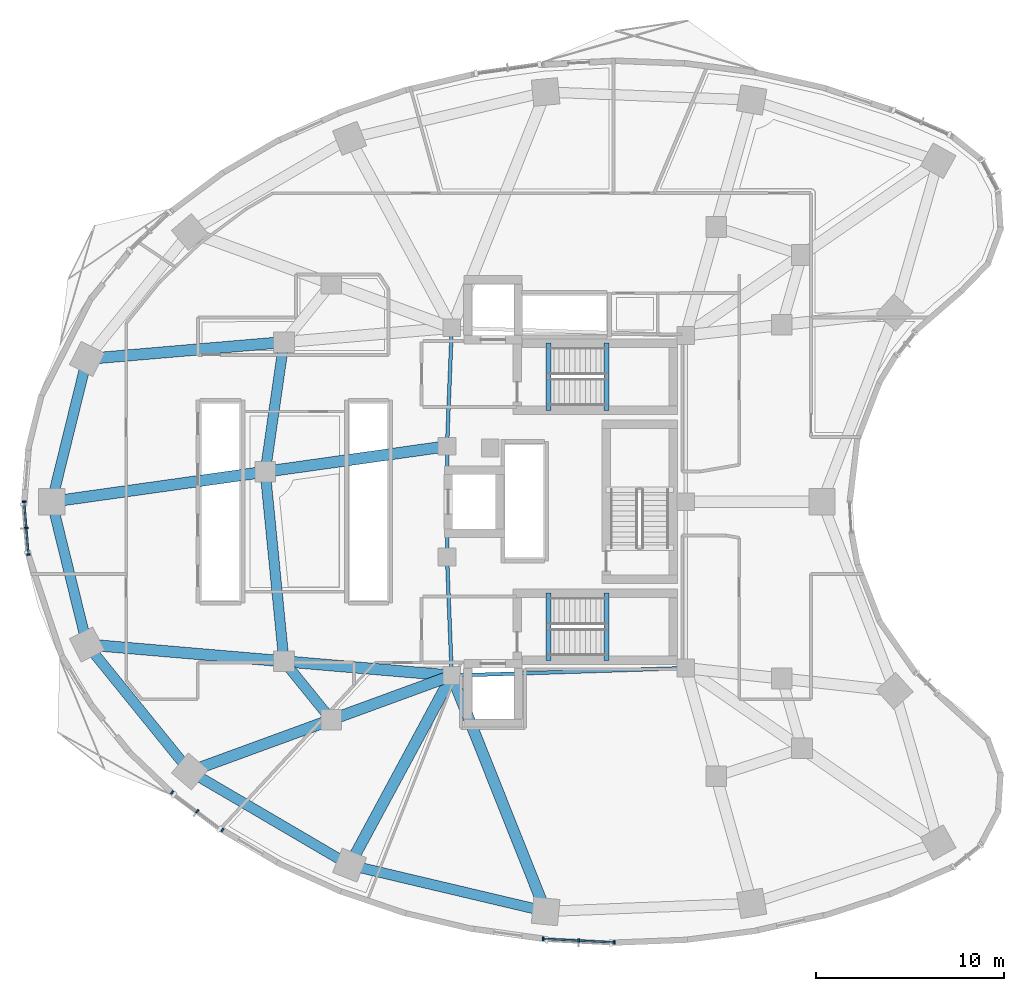
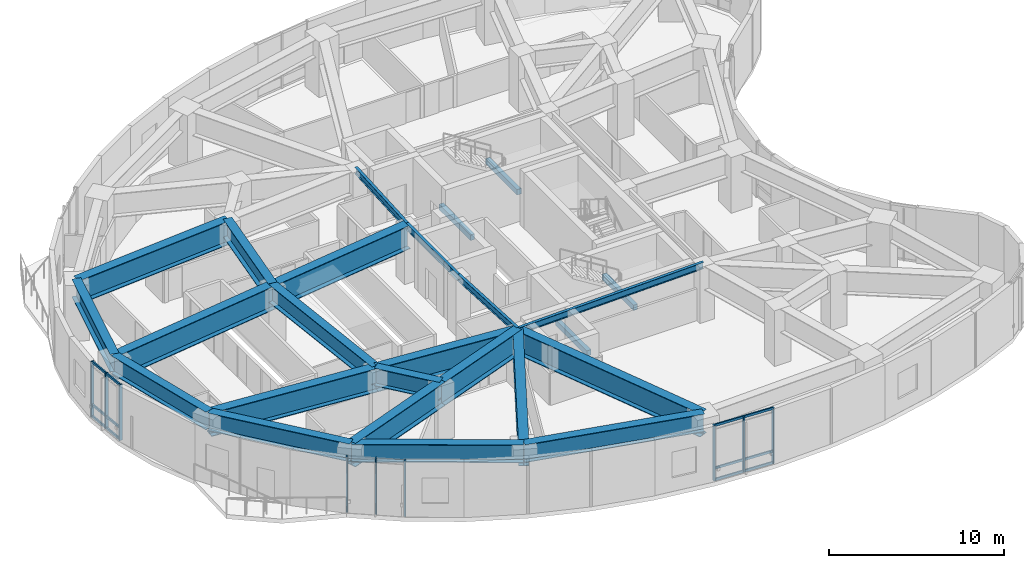
# One storey, part 2 of 13: 25 beams, 21 members, 3 elements without a shape of their own.
"""IFC4 building model written with IfcOpenShell, lengths in metres."""

from ifc_helpers import new_model, si_unit, direction, frame, origin, origin_2d, place, context, subcontext, project, spatial, rectangle, i_section, extrude, material, layer, layer_set, material_profile, profile_set, type_object, element, aggregate, save


model = new_model("IFC4")

# Units and contexts
model_context = context("Model", 3, precision=1e-05, world=origin(), true_north=direction((0.0, 1.0)))
body_context = subcontext(model_context, "Body", "Model", "MODEL_VIEW")
ifc_project = project(units=[si_unit("LENGTHUNIT", "METRE"), si_unit("AREAUNIT", "SQUARE_METRE"), si_unit("VOLUMEUNIT", "CUBIC_METRE"), si_unit("PLANEANGLEUNIT", "RADIAN"), si_unit("MASSUNIT", "GRAM", prefix="KILO")], contexts=[model_context])

# Site, building, storey
site_placement = place(None, origin())
site = spatial("IfcSite", under=ifc_project, at=site_placement, CompositionType="ELEMENT")
building_placement = place(site_placement, origin())
building = spatial("IfcBuilding", under=site, at=building_placement, Name="Korentha Bioscience Tower", CompositionType="ELEMENT")
storey_placement = place(building_placement, frame((0.0, 0.0, 80.39990234375)))
storey = spatial("IfcBuildingStorey", under=building, at=storey_placement, Name="L18", CompositionType="ELEMENT", Elevation=80.39990234375)

# Beams
ifc_material_1 = material(Name="Concrete C50", Category="concrete")
ifc_material_profile_1 = material_profile(ifc_material_1, rectangle(XDim=0.280029296875, YDim=0.3798828125, at=origin_2d()), Name="Concrete C50")
ifc_profile_set_1 = profile_set([ifc_material_profile_1], Name="Concrete C50 (ST-HB380)")
beam_type_1 = type_object("IfcBeamType", Name="Concrete Stair Header Beam RC 280x380", PredefinedType="BEAM", material=ifc_profile_set_1)
for number, where, z_axis, x_axis, name in (
    (1, (30.25, 31.85009765625, -0.18994140625), (0.0, 1.0, 0.0), (-1.0, 0.0, 0.0), "L18 ST-1 Concrete Stair Header Beam"),
    (2, (33.330078125, 31.85009765625, 1.91015625), (0.0, 1.0, 0.0), (-1.0, 0.0, 0.0), "L18 ST-1 Half-Landing Header Beam 1"),
    (3, (30.25, 18.550048828125, -0.18994140625), (0.0, 1.0, 0.0), (-1.0, 0.0, 0.0), "L18 ST-2 Concrete Stair Header Beam"),
    (4, (33.330078125, 18.550048828125, 1.91015625), (0.0, 1.0, 0.0), (-1.0, 0.0, 0.0), "L18 ST-2 Half-Landing Header Beam 1"),
):
    element("IfcBeam", number, at=place(storey_placement, frame(where, z_axis=z_axis, x_axis=x_axis)), inside=storey, type_object=beam_type_1, Name=name, PredefinedType="BEAM", context=body_context, shape_type="SweptSolid", body=[
        extrude(rectangle(XDim=0.280029296875, YDim=0.3798828125, at=origin_2d()), origin(), (0.0, 0.0, 1.0), 3.599853515625),
    ])
ifc_material_2 = material(Name="Steel S355", Category="steel")
ifc_material_profile_2 = material_profile(ifc_material_2, i_section(OverallWidth=0.550048828125, OverallDepth=1.25, WebThickness=0.02392578125, FlangeThickness=0.0400390625, at=origin_2d()), Name="Steel S355")
ifc_profile_set_2 = profile_set([ifc_material_profile_2], Name="Steel S355 (TG-03)")
beam_type_2 = type_object("IfcBeamType", Name="Crown Step Transfer Girder CVS 1250x510", PredefinedType="USERDEFINED", material=ifc_profile_set_2)
beam_1_placement = place(storey_placement, frame((16.174072265625, 35.489013671875, 3.255126953125), z_axis=(-0.14286846228, -0.989741684727, 0.0), x_axis=(0.989741684727, -0.14286846228, 0.0)))
element("IfcBeam", 5, at=beam_1_placement, inside=storey, type_object=beam_type_2, Name="L18 Mid-Ring Tie Girder 06", ObjectType="TRANSFER_GIRDER", PredefinedType="USERDEFINED", context=body_context, shape_type="SweptSolid", body=[
    extrude(i_section(OverallWidth=0.550048828125, OverallDepth=1.25, WebThickness=0.02392578125, FlangeThickness=0.0400390625, at=origin_2d()), origin(), (0.0, 0.0, 1.0), 6.967041015625),
])
beam_2_placement = place(storey_placement, frame((15.1787109375, 28.593505859375, 3.255126953125), z_axis=(0.098243909277, -0.995162365793, 0.0), x_axis=(0.995162365793, 0.098243909277, 0.0)))
element("IfcBeam", 6, at=beam_2_placement, inside=storey, type_object=beam_type_2, Name="L18 Mid-Ring Tie Girder 07", ObjectType="TRANSFER_GIRDER", PredefinedType="USERDEFINED", context=body_context, shape_type="SweptSolid", body=[
    extrude(i_section(OverallWidth=0.550048828125, OverallDepth=1.25, WebThickness=0.02392578125, FlangeThickness=0.0400390625, at=origin_2d()), origin(), (0.0, 0.0, 1.0), 10.131591796875),
])
beam_3_placement = place(storey_placement, frame((16.174072265625, 18.510986328125, 3.255126953125), z_axis=(0.629790009744, -0.776765436684, 0.0), x_axis=(0.776765436684, 0.629790009744, 0.0)))
element("IfcBeam", 7, at=beam_3_placement, inside=storey, type_object=beam_type_2, Name="L18 Mid-Ring Tie Girder 08", ObjectType="TRANSFER_GIRDER", PredefinedType="USERDEFINED", context=body_context, shape_type="SweptSolid", body=[
    extrude(i_section(OverallWidth=0.550048828125, OverallDepth=1.25, WebThickness=0.02392578125, FlangeThickness=0.0400390625, at=origin_2d()), origin(), (0.0, 0.0, 1.0), 3.998291015625),
])
beam_4_placement = place(storey_placement, frame((5.69580078125, 34.595703125, 3.255126953125), z_axis=(-0.239119105624, -0.970990243682, 0.0), x_axis=(0.970990243682, -0.239119105624, 0.0)))
element("IfcBeam", 8, at=beam_4_placement, inside=storey, type_object=beam_type_2, Name="L18 Perimeter Spandrel Girder 06", ObjectType="TRANSFER_GIRDER", PredefinedType="USERDEFINED", context=body_context, shape_type="SweptSolid", body=[
    extrude(i_section(OverallWidth=0.550048828125, OverallDepth=1.25, WebThickness=0.02392578125, FlangeThickness=0.0400390625, at=origin_2d()), origin(), (0.0, 0.0, 1.0), 7.82177734375),
])
beam_5_placement = place(storey_placement, frame((3.825439453125, 27.000732421875, 3.255126953125), z_axis=(0.23907563132, -0.971000948768, 0.0), x_axis=(0.971000948768, 0.23907563132, 0.0)))
element("IfcBeam", 9, at=beam_5_placement, inside=storey, type_object=beam_type_2, Name="L18 Perimeter Spandrel Girder 07", ObjectType="TRANSFER_GIRDER", PredefinedType="USERDEFINED", context=body_context, shape_type="SweptSolid", body=[
    extrude(i_section(OverallWidth=0.550048828125, OverallDepth=1.25, WebThickness=0.02392578125, FlangeThickness=0.0400390625, at=origin_2d()), origin(), (0.0, 0.0, 1.0), 7.8232421875),
])
beam_6_placement = place(storey_placement, frame((5.69580078125, 19.404296875, 3.255126953125), z_axis=(0.629799210231, -0.776757976974, 0.0), x_axis=(0.776757976974, 0.629799210231, 0.0)))
element("IfcBeam", 10, at=beam_6_placement, inside=storey, type_object=beam_type_2, Name="L18 Perimeter Spandrel Girder 08", ObjectType="TRANSFER_GIRDER", PredefinedType="USERDEFINED", context=body_context, shape_type="SweptSolid", body=[
    extrude(i_section(OverallWidth=0.550048828125, OverallDepth=1.25, WebThickness=0.02392578125, FlangeThickness=0.0400390625, at=origin_2d()), origin(), (0.0, 0.0, 1.0), 8.69189453125),
])
beam_7_placement = place(storey_placement, frame((11.169921875, 12.65283203125, 3.255126953125), z_axis=(0.862656574181, -0.505790109653, 0.0), x_axis=(0.505790109653, 0.862656574181, 0.0)))
element("IfcBeam", 11, at=beam_7_placement, inside=storey, type_object=beam_type_2, Name="L18 Perimeter Spandrel Girder 09", ObjectType="TRANSFER_GIRDER", PredefinedType="USERDEFINED", context=body_context, shape_type="SweptSolid", body=[
    extrude(i_section(OverallWidth=0.550048828125, OverallDepth=1.25, WebThickness=0.02392578125, FlangeThickness=0.0400390625, at=origin_2d()), origin(), (0.0, 0.0, 1.0), 9.849365234375),
])
beam_8_placement = place(storey_placement, frame((19.66650390625, 7.671142578125, 3.255126953125), z_axis=(0.973207885376, -0.229926970672, 0.0), x_axis=(0.229926970672, 0.973207885376, 0.0)))
element("IfcBeam", 12, at=beam_8_placement, inside=storey, type_object=beam_type_2, Name="L18 Perimeter Spandrel Girder 10", ObjectType="TRANSFER_GIRDER", PredefinedType="USERDEFINED", context=body_context, shape_type="SweptSolid", body=[
    extrude(i_section(OverallWidth=0.550048828125, OverallDepth=1.25, WebThickness=0.02392578125, FlangeThickness=0.0400390625, at=origin_2d()), origin(), (0.0, 0.0, 1.0), 10.71484375),
])
ifc_material_profile_3 = material_profile(ifc_material_2, i_section(OverallWidth=0.60009765625, OverallDepth=1.64990234375, WebThickness=0.02587890625, FlangeThickness=0.0439453125, at=origin_2d()), Name="Steel S355")
ifc_profile_set_3 = profile_set([ifc_material_profile_3], Name="Steel S355 (TG-04)")
beam_type_3 = type_object("IfcBeamType", Name="Deep Setback Transfer Girder CVS 1650x620", PredefinedType="USERDEFINED", material=ifc_profile_set_3)
beam_9_placement = place(storey_placement, frame((16.174072265625, 35.489013671875, 3.05517578125), z_axis=(-0.996385601055, -0.084945476695, 0.0), x_axis=(0.084945476695, -0.996385601055, 0.0)))
element("IfcBeam", 13, at=beam_9_placement, inside=storey, type_object=beam_type_3, Name="L18 Outer Radial Transfer Girder 06", ObjectType="TRANSFER_GIRDER", PredefinedType="USERDEFINED", context=body_context, shape_type="SweptSolid", body=[
    extrude(i_section(OverallWidth=0.60009765625, OverallDepth=1.64990234375, WebThickness=0.02587890625, FlangeThickness=0.0439453125, at=origin_2d()), origin(), (0.0, 0.0, 1.0), 10.516357421875),
])
beam_10_placement = place(storey_placement, frame((24.85009765625, 29.949951171875, 3.05517578125), z_axis=(-0.990307253072, -0.138894004596, 0.0), x_axis=(0.138894004596, -0.990307253072, 0.0)))
element("IfcBeam", 14, at=beam_10_placement, inside=storey, type_object=beam_type_3, Name="L18 Inner Radial Transfer Girder 07", ObjectType="TRANSFER_GIRDER", PredefinedType="USERDEFINED", context=body_context, shape_type="SweptSolid", body=[
    extrude(i_section(OverallWidth=0.60009765625, OverallDepth=1.64990234375, WebThickness=0.02587890625, FlangeThickness=0.0439453125, at=origin_2d()), origin(), (0.0, 0.0, 1.0), 9.76611328125),
])
beam_11_placement = place(storey_placement, frame((15.1787109375, 28.593505859375, 3.05517578125), z_axis=(-0.99030199745, -0.138931471762, 0.0), x_axis=(0.138931471762, -0.99030199745, 0.0)))
element("IfcBeam", 15, at=beam_11_placement, inside=storey, type_object=beam_type_3, Name="L18 Outer Radial Transfer Girder 07", ObjectType="TRANSFER_GIRDER", PredefinedType="USERDEFINED", context=body_context, shape_type="SweptSolid", body=[
    extrude(i_section(OverallWidth=0.60009765625, OverallDepth=1.64990234375, WebThickness=0.02587890625, FlangeThickness=0.0439453125, at=origin_2d()), origin(), (0.0, 0.0, 1.0), 11.46435546875),
])
beam_12_placement = place(storey_placement, frame((25.10009765625, 17.75, 3.05517578125), z_axis=(-0.996385503026, 0.08494662654, 0.0), x_axis=(-0.08494662654, -0.996385503026, 0.0)))
element("IfcBeam", 16, at=beam_12_placement, inside=storey, type_object=beam_type_3, Name="L18 Inner Radial Transfer Girder 08", ObjectType="TRANSFER_GIRDER", PredefinedType="USERDEFINED", context=body_context, shape_type="SweptSolid", body=[
    extrude(i_section(OverallWidth=0.60009765625, OverallDepth=1.64990234375, WebThickness=0.02587890625, FlangeThickness=0.0439453125, at=origin_2d()), origin(), (0.0, 0.0, 1.0), 8.95849609375),
])
beam_13_placement = place(storey_placement, frame((16.174072265625, 18.510986328125, 3.05517578125), z_axis=(-0.996385601055, 0.084945476695, 0.0), x_axis=(-0.084945476695, -0.996385601055, 0.0)))
element("IfcBeam", 17, at=beam_13_placement, inside=storey, type_object=beam_type_3, Name="L18 Outer Radial Transfer Girder 08", ObjectType="TRANSFER_GIRDER", PredefinedType="USERDEFINED", context=body_context, shape_type="SweptSolid", body=[
    extrude(i_section(OverallWidth=0.60009765625, OverallDepth=1.64990234375, WebThickness=0.02587890625, FlangeThickness=0.0439453125, at=origin_2d()), origin(), (0.0, 0.0, 1.0), 10.516357421875),
])
beam_14_placement = place(storey_placement, frame((25.10009765625, 17.75, 3.05517578125), z_axis=(-0.939106237741, -0.343626940498, 0.0), x_axis=(0.343626940498, -0.939106237741, 0.0)))
element("IfcBeam", 18, at=beam_14_placement, inside=storey, type_object=beam_type_3, Name="L18 Inner Radial Transfer Girder 09", ObjectType="TRANSFER_GIRDER", PredefinedType="USERDEFINED", context=body_context, shape_type="SweptSolid", body=[
    extrude(i_section(OverallWidth=0.60009765625, OverallDepth=1.64990234375, WebThickness=0.02587890625, FlangeThickness=0.0439453125, at=origin_2d()), origin(), (0.0, 0.0, 1.0), 6.823486328125),
])
beam_15_placement = place(storey_placement, frame((18.692138671875, 15.4052734375, 3.05517578125), z_axis=(-0.939106299948, -0.343626770491, 0.0), x_axis=(0.343626770491, -0.939106299948, 0.0)))
element("IfcBeam", 19, at=beam_15_placement, inside=storey, type_object=beam_type_3, Name="L18 Outer Radial Transfer Girder 09", ObjectType="TRANSFER_GIRDER", PredefinedType="USERDEFINED", context=body_context, shape_type="SweptSolid", body=[
    extrude(i_section(OverallWidth=0.60009765625, OverallDepth=1.64990234375, WebThickness=0.02587890625, FlangeThickness=0.0439453125, at=origin_2d()), origin(), (0.0, 0.0, 1.0), 8.010009765625),
])
beam_16_placement = place(storey_placement, frame((25.10009765625, 17.75, 3.05517578125), z_axis=(-0.47454097106, -0.880233416081, 0.0), x_axis=(0.880233416081, -0.47454097106, 0.0)))
element("IfcBeam", 20, at=beam_16_placement, inside=storey, type_object=beam_type_3, Name="L18 Radial Transfer Girder 10", ObjectType="TRANSFER_GIRDER", PredefinedType="USERDEFINED", context=body_context, shape_type="SweptSolid", body=[
    extrude(i_section(OverallWidth=0.60009765625, OverallDepth=1.64990234375, WebThickness=0.02587890625, FlangeThickness=0.0439453125, at=origin_2d()), origin(), (0.0, 0.0, 1.0), 11.4501953125),
])
beam_17_placement = place(storey_placement, frame((25.10009765625, 17.75, 3.05517578125), z_axis=(0.369931007413, -0.929059228335, 0.0), x_axis=(0.929059228335, 0.369931007413, 0.0)))
element("IfcBeam", 21, at=beam_17_placement, inside=storey, type_object=beam_type_3, Name="L18 Radial Transfer Girder 11", ObjectType="TRANSFER_GIRDER", PredefinedType="USERDEFINED", context=body_context, shape_type="SweptSolid", body=[
    extrude(i_section(OverallWidth=0.60009765625, OverallDepth=1.64990234375, WebThickness=0.02587890625, FlangeThickness=0.0439453125, at=origin_2d()), origin(), (0.0, 0.0, 1.0), 13.500244140625),
])
ifc_material_profile_4 = material_profile(ifc_material_2, i_section(OverallWidth=0.18994140625, OverallDepth=0.45703125, WebThickness=0.009033203125, FlangeThickness=0.014404296875, at=origin_2d()), Name="Steel S355")
ifc_profile_set_4 = profile_set([ifc_material_profile_4], Name="Steel S355 (MB-460)")
beam_type_4 = type_object("IfcBeamType", Name="Mid-Ring Tie Girder W460x74", PredefinedType="BEAM", material=ifc_profile_set_4)
beam_18_placement = place(storey_placement, frame((25.10009765625, 36.25, 3.651611328125), z_axis=(-0.039651025576, -0.999213588864, 0.0), x_axis=(0.999213588864, -0.039651025576, 0.0)))
element("IfcBeam", 22, at=beam_18_placement, inside=storey, type_object=beam_type_4, Name="L18 Core Ring Tie Girder 02", PredefinedType="BEAM", context=body_context, shape_type="SweptSolid", body=[
    extrude(i_section(OverallWidth=0.18994140625, OverallDepth=0.45703125, WebThickness=0.009033203125, FlangeThickness=0.014404296875, at=origin_2d()), origin(), (0.0, 0.0, 1.0), 6.304931640625),
])
beam_19_placement = place(storey_placement, frame((24.85009765625, 29.949951171875, 3.651611328125), z_axis=(0.0, -1.0, 0.0), x_axis=(1.0, 0.0, 0.0)))
element("IfcBeam", 23, at=beam_19_placement, inside=storey, type_object=beam_type_4, Name="L18 Core Ring Tie Girder 03", PredefinedType="BEAM", context=body_context, shape_type="SweptSolid", body=[
    extrude(i_section(OverallWidth=0.18994140625, OverallDepth=0.45703125, WebThickness=0.009033203125, FlangeThickness=0.014404296875, at=origin_2d()), origin(), (0.0, 0.0, 1.0), 5.89990234375),
])
beam_20_placement = place(storey_placement, frame((24.85009765625, 24.050048828125, 3.651611328125), z_axis=(0.039651025576, -0.999213588864, 0.0), x_axis=(0.999213588864, 0.039651025576, 0.0)))
element("IfcBeam", 24, at=beam_20_placement, inside=storey, type_object=beam_type_4, Name="L18 Core Ring Tie Girder 04", PredefinedType="BEAM", context=body_context, shape_type="SweptSolid", body=[
    extrude(i_section(OverallWidth=0.18994140625, OverallDepth=0.45703125, WebThickness=0.009033203125, FlangeThickness=0.014404296875, at=origin_2d()), origin(), (0.0, 0.0, 1.0), 6.304931640625),
])
beam_21_placement = place(storey_placement, frame((25.10009765625, 17.75, 3.651611328125), z_axis=(0.999484526071, 0.032104238723, 0.0), x_axis=(-0.032104238723, 0.999484526071, 0.0)))
element("IfcBeam", 25, at=beam_21_placement, inside=storey, type_object=beam_type_4, Name="L18 Core Ring Tie Girder 05", PredefinedType="BEAM", context=body_context, shape_type="SweptSolid", body=[
    extrude(i_section(OverallWidth=0.18994140625, OverallDepth=0.45703125, WebThickness=0.009033203125, FlangeThickness=0.014404296875, at=origin_2d()), origin(), (0.0, 0.0, 1.0), 12.456298828125),
])

# Curtain wall, members
ifc_material_3 = material(Name="Thermally Broken Aluminium Frame", Category="aluminium")
ifc_layer = layer(ifc_material_3, 0.219970703125, Name="Thermally Broken Aluminium Frame")
ifc_layer_set = layer_set([ifc_layer], Name="Thermally Broken Aluminium Frame (CW-T2)")
curtain_wall_type = type_object("IfcCurtainWallType", Name="Solar-Screened Lab Unitised Curtain Wall CW-T2", PredefinedType="USERDEFINED", material=ifc_layer_set)
curtain_wall_1_placement = place(storey_placement, origin())
curtain_wall_1 = element("IfcCurtainWall", 26, at=curtain_wall_1_placement, inside=storey, type_object=curtain_wall_type, Name="L18 Curtain Wall 19", ObjectType="UNITISED", PredefinedType="USERDEFINED")
ifc_material_4 = material(Name="Anodised Aluminium 6063-T6", Category="aluminium")
ifc_material_profile_5 = material_profile(ifc_material_4, rectangle(XDim=0.090087890625, YDim=0.199951171875, at=origin_2d()), Name="Anodised Aluminium 6063-T6")
ifc_profile_set_5 = profile_set([ifc_material_profile_5], Name="Anodised Aluminium 6063-T6 (CW-MUL)")
member_type_1 = type_object("IfcMemberType", Name="Mullion RECT 90x200", PredefinedType="MULLION", material=ifc_profile_set_5)
member_1_placement = place(storey_placement, frame((2.35986328125, 27.0078125, 0.0), z_axis=(0.0, 0.0, 1.0), x_axis=(0.080820466375, -0.996728675325, 0.0)))
member_1 = element("IfcMember", 27, at=member_1_placement, type_object=member_type_1, Name="CW-L18-19 Mullion 1", PredefinedType="MULLION", context=body_context, shape_type="SweptSolid", body=[
    extrude(rectangle(XDim=0.090087890625, YDim=0.199951171875, at=origin_2d()), origin(), (0.0, 0.0, 1.0), 3.880126953125),
])
member_2_placement = place(storey_placement, frame((2.474365234375, 25.597412109375, 0.0), z_axis=(0.0, 0.0, 1.0), x_axis=(0.080820466375, -0.996728675325, 0.0)))
member_2 = element("IfcMember", 28, at=member_2_placement, type_object=member_type_1, Name="CW-L18-19 Mullion 2", PredefinedType="MULLION", context=body_context, shape_type="SweptSolid", body=[
    extrude(rectangle(XDim=0.090087890625, YDim=0.199951171875, at=origin_2d()), origin(), (0.0, 0.0, 1.0), 3.880126953125),
])
member_3_placement = place(storey_placement, frame((2.588623046875, 24.187255859375, 0.0), z_axis=(0.0, 0.0, 1.0), x_axis=(0.080820466375, -0.996728675325, 0.0)))
member_3 = element("IfcMember", 29, at=member_3_placement, type_object=member_type_1, Name="CW-L18-19 Mullion 3", PredefinedType="MULLION", context=body_context, shape_type="SweptSolid", body=[
    extrude(rectangle(XDim=0.090087890625, YDim=0.199951171875, at=origin_2d()), origin(), (0.0, 0.0, 1.0), 3.880126953125),
])

curtain_wall_2_placement = place(storey_placement, origin())
curtain_wall_2 = element("IfcCurtainWall", 30, at=curtain_wall_2_placement, inside=storey, type_object=curtain_wall_type, Name="L18 Curtain Wall 25", ObjectType="UNITISED", PredefinedType="USERDEFINED")
member_4_placement = place(storey_placement, frame((10.2216796875, 11.538818359375, 0.0), z_axis=(0.0, 0.0, 1.0), x_axis=(0.800797909614, -0.598934644145, 0.0)))
member_4 = element("IfcMember", 31, at=member_4_placement, type_object=member_type_1, Name="CW-L18-25 Mullion 1", PredefinedType="MULLION", context=body_context, shape_type="SweptSolid", body=[
    extrude(rectangle(XDim=0.090087890625, YDim=0.199951171875, at=origin_2d()), origin(), (0.0, 0.0, 1.0), 3.880126953125),
])
member_5_placement = place(storey_placement, frame((11.5634765625, 10.53515625, 0.0), z_axis=(0.0, 0.0, 1.0), x_axis=(0.800797909614, -0.598934644145, 0.0)))
member_5 = element("IfcMember", 32, at=member_5_placement, type_object=member_type_1, Name="CW-L18-25 Mullion 2", PredefinedType="MULLION", context=body_context, shape_type="SweptSolid", body=[
    extrude(rectangle(XDim=0.090087890625, YDim=0.199951171875, at=origin_2d()), origin(), (0.0, 0.0, 1.0), 3.880126953125),
])
member_6_placement = place(storey_placement, frame((12.9052734375, 9.53173828125, 0.0), z_axis=(0.0, 0.0, 1.0), x_axis=(0.800797909614, -0.598934644145, 0.0)))
member_6 = element("IfcMember", 33, at=member_6_placement, type_object=member_type_1, Name="CW-L18-25 Mullion 3", PredefinedType="MULLION", context=body_context, shape_type="SweptSolid", body=[
    extrude(rectangle(XDim=0.090087890625, YDim=0.199951171875, at=origin_2d()), origin(), (0.0, 0.0, 1.0), 3.880126953125),
])
aggregate(curtain_wall_2, [member_4, member_5, member_6])

curtain_wall_3_placement = place(storey_placement, origin())
curtain_wall_3 = element("IfcCurtainWall", 34, at=curtain_wall_3_placement, inside=storey, type_object=curtain_wall_type, Name="L18 Curtain Wall 31", ObjectType="UNITISED", PredefinedType="USERDEFINED")
member_7_placement = place(storey_placement, frame((29.9541015625, 3.75244140625, 0.0), z_axis=(0.0, 0.0, 1.0), x_axis=(0.998730551641, -0.050371472279, 0.0)))
member_7 = element("IfcMember", 35, at=member_7_placement, type_object=member_type_1, Name="CW-L18-31 Mullion 1", PredefinedType="MULLION", context=body_context, shape_type="SweptSolid", body=[
    extrude(rectangle(XDim=0.090087890625, YDim=0.199951171875, at=origin_2d()), origin(), (0.0, 0.0, 1.0), 3.880126953125),
])
member_8_placement = place(storey_placement, frame((31.855224609375, 3.656494140625, 0.0), z_axis=(0.0, 0.0, 1.0), x_axis=(0.998730551641, -0.050371472279, 0.0)))
member_8 = element("IfcMember", 36, at=member_8_placement, type_object=member_type_1, Name="CW-L18-31 Mullion 2", PredefinedType="MULLION", context=body_context, shape_type="SweptSolid", body=[
    extrude(rectangle(XDim=0.090087890625, YDim=0.199951171875, at=origin_2d()), origin(), (0.0, 0.0, 1.0), 3.880126953125),
])
member_9_placement = place(storey_placement, frame((33.75634765625, 3.560791015625, 0.0), z_axis=(0.0, 0.0, 1.0), x_axis=(0.998730551641, -0.050371472279, 0.0)))
member_9 = element("IfcMember", 37, at=member_9_placement, type_object=member_type_1, Name="CW-L18-31 Mullion 3", PredefinedType="MULLION", context=body_context, shape_type="SweptSolid", body=[
    extrude(rectangle(XDim=0.090087890625, YDim=0.199951171875, at=origin_2d()), origin(), (0.0, 0.0, 1.0), 3.880126953125),
])

# Member
ifc_material_profile_6 = material_profile(ifc_material_4, rectangle(XDim=0.090087890625, YDim=0.159912109375, at=origin_2d()), Name="Anodised Aluminium 6063-T6")
ifc_profile_set_6 = profile_set([ifc_material_profile_6], Name="Anodised Aluminium 6063-T6 (CW-TRN)")
member_type_2 = type_object("IfcMemberType", Name="Transom RECT 90x160", PredefinedType="USERDEFINED", material=ifc_profile_set_6)
member_10_placement = place(storey_placement, frame((2.363525390625, 26.963134765625, 0.045166015625), z_axis=(0.080880177847, -0.996723831777, 0.0), x_axis=(0.996723831777, 0.080880177847, 0.0)))
member_10 = element("IfcMember", 38, at=member_10_placement, type_object=member_type_2, Name="CW-L18-19 Bay 1 Transom 1", ObjectType="TRANSOM", PredefinedType="USERDEFINED", context=body_context, shape_type="SweptSolid", body=[
    extrude(rectangle(XDim=0.090087890625, YDim=0.159912109375, at=origin_2d()), origin(), (0.0, 0.0, 1.0), 1.3251953125),
])

member_11_placement = place(storey_placement, frame((2.363525390625, 26.963134765625, 0.85009765625), z_axis=(0.080880177847, -0.996723831777, 0.0), x_axis=(0.996723831777, 0.080880177847, 0.0)))
member_11 = element("IfcMember", 39, at=member_11_placement, type_object=member_type_2, Name="CW-L18-19 Bay 1 Transom 2", ObjectType="TRANSOM", PredefinedType="USERDEFINED", context=body_context, shape_type="SweptSolid", body=[
    extrude(rectangle(XDim=0.090087890625, YDim=0.159912109375, at=origin_2d()), origin(), (0.0, 0.0, 1.0), 1.3251953125),
])

member_12_placement = place(storey_placement, frame((2.363525390625, 26.963134765625, 3.835205078125), z_axis=(0.080880177847, -0.996723831777, 0.0), x_axis=(0.996723831777, 0.080880177847, 0.0)))
member_12 = element("IfcMember", 40, at=member_12_placement, type_object=member_type_2, Name="CW-L18-19 Bay 1 Transom 3", ObjectType="TRANSOM", PredefinedType="USERDEFINED", context=body_context, shape_type="SweptSolid", body=[
    extrude(rectangle(XDim=0.090087890625, YDim=0.159912109375, at=origin_2d()), origin(), (0.0, 0.0, 1.0), 1.3251953125),
])

member_13_placement = place(storey_placement, frame((2.477783203125, 25.552734375, 0.045166015625), z_axis=(0.080880177847, -0.996723831777, 0.0), x_axis=(0.996723831777, 0.080880177847, 0.0)))
member_13 = element("IfcMember", 41, at=member_13_placement, type_object=member_type_2, Name="CW-L18-19 Bay 2 Transom 1", ObjectType="TRANSOM", PredefinedType="USERDEFINED", context=body_context, shape_type="SweptSolid", body=[
    extrude(rectangle(XDim=0.090087890625, YDim=0.159912109375, at=origin_2d()), origin(), (0.0, 0.0, 1.0), 1.3251953125),
])

member_14_placement = place(storey_placement, frame((2.477783203125, 25.552734375, 0.85009765625), z_axis=(0.080880177847, -0.996723831777, 0.0), x_axis=(0.996723831777, 0.080880177847, 0.0)))
member_14 = element("IfcMember", 42, at=member_14_placement, type_object=member_type_2, Name="CW-L18-19 Bay 2 Transom 2", ObjectType="TRANSOM", PredefinedType="USERDEFINED", context=body_context, shape_type="SweptSolid", body=[
    extrude(rectangle(XDim=0.090087890625, YDim=0.159912109375, at=origin_2d()), origin(), (0.0, 0.0, 1.0), 1.3251953125),
])

member_15_placement = place(storey_placement, frame((2.477783203125, 25.552734375, 3.835205078125), z_axis=(0.080880177847, -0.996723831777, 0.0), x_axis=(0.996723831777, 0.080880177847, 0.0)))
member_15 = element("IfcMember", 43, at=member_15_placement, type_object=member_type_2, Name="CW-L18-19 Bay 2 Transom 3", ObjectType="TRANSOM", PredefinedType="USERDEFINED", context=body_context, shape_type="SweptSolid", body=[
    extrude(rectangle(XDim=0.090087890625, YDim=0.159912109375, at=origin_2d()), origin(), (0.0, 0.0, 1.0), 1.3251953125),
])

aggregate(curtain_wall_1, [member_1, member_2, member_3, member_10, member_11, member_12, member_13, member_14, member_15])

member_16_placement = place(storey_placement, frame((29.9990234375, 3.750244140625, 0.045166015625), z_axis=(0.998731776836, -0.050347174085, 0.0), x_axis=(0.050347174085, 0.998731776836, 0.0)))
member_16 = element("IfcMember", 44, at=member_16_placement, type_object=member_type_2, Name="CW-L18-31 Bay 1 Transom 1", ObjectType="TRANSOM", PredefinedType="USERDEFINED", context=body_context, shape_type="SweptSolid", body=[
    extrude(rectangle(XDim=0.090087890625, YDim=0.159912109375, at=origin_2d()), origin(), (0.0, 0.0, 1.0), 1.8134765625),
])

member_17_placement = place(storey_placement, frame((29.9990234375, 3.750244140625, 0.85009765625), z_axis=(0.998731776836, -0.050347174085, 0.0), x_axis=(0.050347174085, 0.998731776836, 0.0)))
member_17 = element("IfcMember", 45, at=member_17_placement, type_object=member_type_2, Name="CW-L18-31 Bay 1 Transom 2", ObjectType="TRANSOM", PredefinedType="USERDEFINED", context=body_context, shape_type="SweptSolid", body=[
    extrude(rectangle(XDim=0.090087890625, YDim=0.159912109375, at=origin_2d()), origin(), (0.0, 0.0, 1.0), 1.8134765625),
])

member_18_placement = place(storey_placement, frame((29.9990234375, 3.750244140625, 3.835205078125), z_axis=(0.998731776836, -0.050347174085, 0.0), x_axis=(0.050347174085, 0.998731776836, 0.0)))
member_18 = element("IfcMember", 46, at=member_18_placement, type_object=member_type_2, Name="CW-L18-31 Bay 1 Transom 3", ObjectType="TRANSOM", PredefinedType="USERDEFINED", context=body_context, shape_type="SweptSolid", body=[
    extrude(rectangle(XDim=0.090087890625, YDim=0.159912109375, at=origin_2d()), origin(), (0.0, 0.0, 1.0), 1.8134765625),
])

member_19_placement = place(storey_placement, frame((31.900146484375, 3.654296875, 0.045166015625), z_axis=(0.998731776836, -0.050347174085, 0.0), x_axis=(0.050347174085, 0.998731776836, 0.0)))
member_19 = element("IfcMember", 47, at=member_19_placement, type_object=member_type_2, Name="CW-L18-31 Bay 2 Transom 1", ObjectType="TRANSOM", PredefinedType="USERDEFINED", context=body_context, shape_type="SweptSolid", body=[
    extrude(rectangle(XDim=0.090087890625, YDim=0.159912109375, at=origin_2d()), origin(), (0.0, 0.0, 1.0), 1.8134765625),
])

member_20_placement = place(storey_placement, frame((31.900146484375, 3.654296875, 0.85009765625), z_axis=(0.998731776836, -0.050347174085, 0.0), x_axis=(0.050347174085, 0.998731776836, 0.0)))
member_20 = element("IfcMember", 48, at=member_20_placement, type_object=member_type_2, Name="CW-L18-31 Bay 2 Transom 2", ObjectType="TRANSOM", PredefinedType="USERDEFINED", context=body_context, shape_type="SweptSolid", body=[
    extrude(rectangle(XDim=0.090087890625, YDim=0.159912109375, at=origin_2d()), origin(), (0.0, 0.0, 1.0), 1.8134765625),
])

member_21_placement = place(storey_placement, frame((31.900146484375, 3.654296875, 3.835205078125), z_axis=(0.998731776836, -0.050347174085, 0.0), x_axis=(0.050347174085, 0.998731776836, 0.0)))
member_21 = element("IfcMember", 49, at=member_21_placement, type_object=member_type_2, Name="CW-L18-31 Bay 2 Transom 3", ObjectType="TRANSOM", PredefinedType="USERDEFINED", context=body_context, shape_type="SweptSolid", body=[
    extrude(rectangle(XDim=0.090087890625, YDim=0.159912109375, at=origin_2d()), origin(), (0.0, 0.0, 1.0), 1.8134765625),
])

aggregate(curtain_wall_3, [member_7, member_8, member_9, member_16, member_17, member_18, member_19, member_20, member_21])

save(model, "model.ifc")
